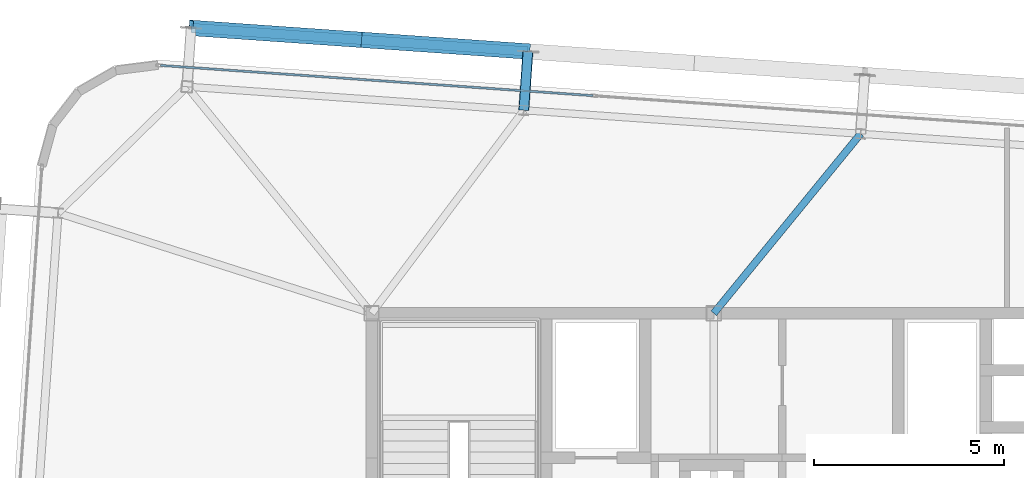
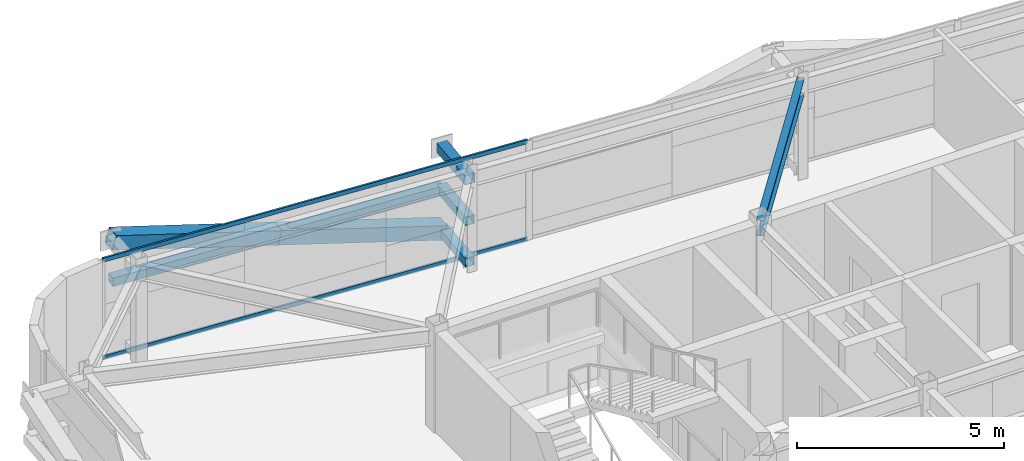
# One storey, part 20 of 39: 8 members, 1 beam, 1 element without a shape of its own.
"""IFC4 building model written with IfcOpenShell, lengths in metres."""

from ifc_helpers import new_model, si_unit, direction, frame, origin, origin_2d, place, context, subcontext, project, spatial, hollow_rectangle, i_section, extrude, source, transform, mapped, material, layer, layer_set, material_profile, profile_set, type_object, element, aggregate, save


model = new_model("IFC4")

# Units and contexts
model_context = context("Model", 3, precision=1e-05, world=origin(), true_north=direction((0.0, 1.0)))
body_context = subcontext(model_context, "Body", "Model", "MODEL_VIEW")
ifc_project = project(units=[si_unit("LENGTHUNIT", "METRE"), si_unit("AREAUNIT", "SQUARE_METRE"), si_unit("VOLUMEUNIT", "CUBIC_METRE"), si_unit("PLANEANGLEUNIT", "RADIAN"), si_unit("MASSUNIT", "GRAM", prefix="KILO")], contexts=[model_context])

# Site, building, storey
site_placement = place(None, origin())
site = spatial("IfcSite", under=ifc_project, at=site_placement, CompositionType="ELEMENT")
building_placement = place(site_placement, origin())
building = spatial("IfcBuilding", under=site, at=building_placement, Name="Taldren Reach Tower", CompositionType="ELEMENT")
storey_placement = place(building_placement, frame((0.0, 0.0, 123.550048828125)))
storey = spatial("IfcBuildingStorey", under=building, at=storey_placement, Name="L37", CompositionType="ELEMENT", Elevation=123.550048828125)

# Members
ifc_material_1 = material(Name="Steel Gr 450 (C450L0)", Category="steel")
ifc_material_profile_1 = material_profile(ifc_material_1, hollow_rectangle(XDim=0.27490234375, YDim=0.27490234375, WallThickness=0.00927734375, at=origin_2d()), Name="275x275x9.3SHS")
ifc_profile_set_1 = profile_set([ifc_material_profile_1], Name="Steel Gr 450 (C450L0)")
member_type_1 = type_object("IfcMemberType", Name="MB-TIE273", PredefinedType="STRUT", material=ifc_profile_set_1)
shared_shape_1 = source(origin(), body_context, "Body", "SweptSolid", [
    extrude(hollow_rectangle(XDim=0.27490234375, YDim=0.27490234375, WallThickness=0.00927734375, at=origin_2d()), origin(), (0.0, 0.0, 1.0), 1.5498046875),
])
member_1_placement = place(storey_placement, frame((23.0029296875, 37.33935546875, 2.64990234375), z_axis=(0.069780535098, 0.997562367434, 0.0), x_axis=(-0.997562367434, 0.069780535098, 0.0)))
element("IfcMember", 1, at=member_1_placement, inside=storey, type_object=member_type_1, Name="Exoskeleton diaphragm tie strut B3-N2 L37", PredefinedType="STRUT", context=body_context, shape_type="MappedRepresentation", body=[
    mapped(shared_shape_1, transform((0.0, 0.0, 0.0), scale=1.0)),
])
ifc_material_2 = material(Name="Steel Gr 350 (C350L0)", Category="steel")
ifc_material_profile_2 = material_profile(ifc_material_2, hollow_rectangle(XDim=0.25, YDim=0.25, WallThickness=0.010009765625, at=origin_2d()), Name="250x250x10.0SHS")
ifc_profile_set_2 = profile_set([ifc_material_profile_2], Name="Steel Gr 350 (C350L0)")
member_type_2 = type_object("IfcMemberType", Name="MB-POST250", PredefinedType="POST", material=ifc_profile_set_2)
shared_shape_2 = source(origin(), body_context, "Body", "SweptSolid", [
    extrude(hollow_rectangle(XDim=0.25, YDim=0.25, WallThickness=0.010009765625, at=origin_2d()), origin(), (0.0, 0.0, 1.0), 1.5498046875),
])
for number, where, z_axis, x_axis, name in (
    (2, (23.0029296875, 37.33935546875, 0.219970703125), (0.069780535098, 0.997562367434, 0.0), (-0.997562367434, 0.069780535098, 0.0), "Exoskeleton base diaphragm tie strut B3-N2 L37"),
    (3, (23.0029296875, 37.33935546875, 1.43505859375), (0.069780535098, 0.997562367434, 0.0), (-0.997562367434, 0.069780535098, 0.0), "Exoskeleton mid-tier diaphragm tie B3-N2 L37"),
):
    element("IfcMember", number, at=place(storey_placement, frame(where, z_axis=z_axis, x_axis=x_axis)), inside=storey, type_object=member_type_2, Name=name, PredefinedType="POST", context=body_context, shape_type="MappedRepresentation", body=[
        mapped(shared_shape_2, transform((0.0, 0.0, 0.0), scale=1.0)),
    ])

# Beam
ifc_material_3 = material(Name="Steel Gr 350 (350PLUS)", Category="steel")
ifc_material_profile_3 = material_profile(ifc_material_3, i_section(OverallWidth=0.19091796875, OverallDepth=0.4599609375, WebThickness=0.010009765625, FlangeThickness=0.01611328125, at=origin_2d()), Name="460UB82.1")
ifc_profile_set_3 = profile_set([ifc_material_profile_3], Name="Steel Gr 350 (350PLUS)")
beam_type = type_object("IfcBeamType", Name="BM-UB460A", PredefinedType="BEAM", material=ifc_profile_set_3)
shared_shape_3 = source(origin(), body_context, "Body", "SweptSolid", [
    extrude(i_section(OverallWidth=0.19091796875, OverallDepth=0.4599609375, WebThickness=0.010009765625, FlangeThickness=0.01611328125, at=origin_2d()), origin(), (0.0, 0.0, 1.0), 6.09814453125),
])
beam_placement = place(storey_placement, frame((28.0, 32.0, 2.699951171875), z_axis=(0.633192006663, 0.773994756247, 0.0), x_axis=(-0.773994756247, 0.633192006663, 0.0)))
element("IfcBeam", 4, at=beam_placement, inside=storey, type_object=beam_type, Name="Primary floor girder B3-N3 L37", PredefinedType="BEAM", context=body_context, shape_type="MappedRepresentation", body=[
    mapped(shared_shape_3, transform((0.0, 0.0, 0.0), scale=1.0)),
])

# Members
shared_shape_4 = source(origin(), body_context, "Body", "SweptSolid", [
    extrude(hollow_rectangle(XDim=0.25, YDim=0.25, WallThickness=0.010009765625, at=origin_2d()), origin(), (0.0, 0.0, 1.0), 8.880126953125),
])
member_2_placement = place(storey_placement, frame((14.252685546875, 39.5048828125, 1.43505859375), z_axis=(0.997564479639, -0.069750333063, 0.0), x_axis=(0.069750333063, 0.997564479639, 0.0)))
element("IfcMember", 5, at=member_2_placement, inside=storey, type_object=member_type_2, Name="Exoskeleton mid-height ring chord B3-N1 L37", PredefinedType="POST", context=body_context, shape_type="MappedRepresentation", body=[
    mapped(shared_shape_4, transform((0.0, 0.0, 0.0), scale=1.0)),
])
ifc_material_profile_4 = material_profile(ifc_material_1, hollow_rectangle(XDim=0.409912109375, YDim=0.409912109375, WallThickness=0.01611328125, at=origin_2d()), Name="410x410x16.0SHS")
ifc_profile_set_4 = profile_set([ifc_material_profile_4], Name="Steel Gr 450 (C450L0)")
member_type_3 = type_object("IfcMemberType", Name="MB-EXO406", PredefinedType="BRACE", material=ifc_profile_set_4)
shared_shape_5 = source(origin(), body_context, "Body", "SweptSolid", [
    extrude(hollow_rectangle(XDim=0.409912109375, YDim=0.409912109375, WallThickness=0.01611328125, at=origin_2d()), origin(), (0.0, 0.0, 1.0), 4.603271484375),
])
for number, where, z_axis, x_axis, name in (
    (6, (23.111083984375, 38.885498046875, 0.219970703125), (-0.962182351074, 0.067302910567, 0.263961060594), (-0.06977769246, -0.997562566276, 0.0), "Exoskeleton Diagrid Brace B3-N1 L37"),
    (7, (18.681884765625, 39.1953125, 1.43505859375), (-0.962199253371, 0.067251055742, 0.263912660389), (-0.069722973508, -0.997566392259, 0.0), "Exoskeleton Diagrid Brace B3-N1 L37"),
):
    element("IfcMember", number, at=place(storey_placement, frame(where, z_axis=z_axis, x_axis=x_axis)), inside=storey, type_object=member_type_3, Name=name, PredefinedType="BRACE", context=body_context, shape_type="MappedRepresentation", body=[
        mapped(shared_shape_5, transform((0.0, 0.0, 0.0), scale=1.0)),
    ])

# Curtain wall, members
ifc_material_4 = material(Name="Aluminium and Low-E Glass Unitised System", Category="aluminium")
ifc_layer = layer(ifc_material_4, 0.159912109375)
ifc_layer_set = layer_set([ifc_layer], Name="Aluminium and Low-E Glass Unitised System")
curtain_wall_type = type_object("IfcCurtainWallType", Name="CW-SYS-4", PredefinedType="NOTDEFINED", material=ifc_layer_set)
curtain_wall_placement = place(storey_placement, origin())
curtain_wall = element("IfcCurtainWall", 8, at=curtain_wall_placement, inside=storey, type_object=curtain_wall_type, Name="Unitised curtain wall CW-L37-N", PredefinedType="NOTDEFINED")
ifc_material_5 = material(Name="Anodised Aluminium 6063-T6", Category="aluminium")
ifc_material_profile_5 = material_profile(ifc_material_5, hollow_rectangle(XDim=0.054931640625, YDim=0.1201171875, WallThickness=0.0029296875, at=origin_2d()), Name="ALU-120x55x3RHS")
ifc_profile_set_5 = profile_set([ifc_material_profile_5], Name="Anodised Aluminium 6063-T6")
member_type_4 = type_object("IfcMemberType", Name="CW-TRN-135", PredefinedType="USERDEFINED", material=ifc_profile_set_5)
shared_shape_6 = source(origin(), body_context, "Body", "SweptSolid", [
    extrude(hollow_rectangle(XDim=0.054931640625, YDim=0.1201171875, WallThickness=0.0029296875, at=origin_2d()), origin(), (0.0, 0.0, 1.0), 11.39501953125),
])
member_3_placement = place(storey_placement, frame((24.819091796875, 37.7236328125, 0.02734375), z_axis=(-0.997563740682, 0.069760900766, 0.0), x_axis=(-0.069760900766, -0.997563740682, 0.0)))
member_3 = element("IfcMember", 9, at=member_3_placement, type_object=member_type_4, Name="CW-4 transom 4.1", ObjectType="TRANSOM", PredefinedType="USERDEFINED", context=body_context, shape_type="MappedRepresentation", body=[
    mapped(shared_shape_6, transform((0.0, 0.0, 0.0), scale=1.0)),
])
member_4_placement = place(storey_placement, frame((24.819091796875, 37.7236328125, 2.90234375), z_axis=(-0.997563740682, 0.069760900766, 0.0), x_axis=(-0.069760900766, -0.997563740682, 0.0)))
member_4 = element("IfcMember", 10, at=member_4_placement, type_object=member_type_4, Name="CW-4 transom 4.2", ObjectType="TRANSOM", PredefinedType="USERDEFINED", context=body_context, shape_type="MappedRepresentation", body=[
    mapped(shared_shape_6, transform((0.0, 0.0, 0.0), scale=1.0)),
])
aggregate(curtain_wall, [member_3, member_4])

save(model, "model.ifc")
